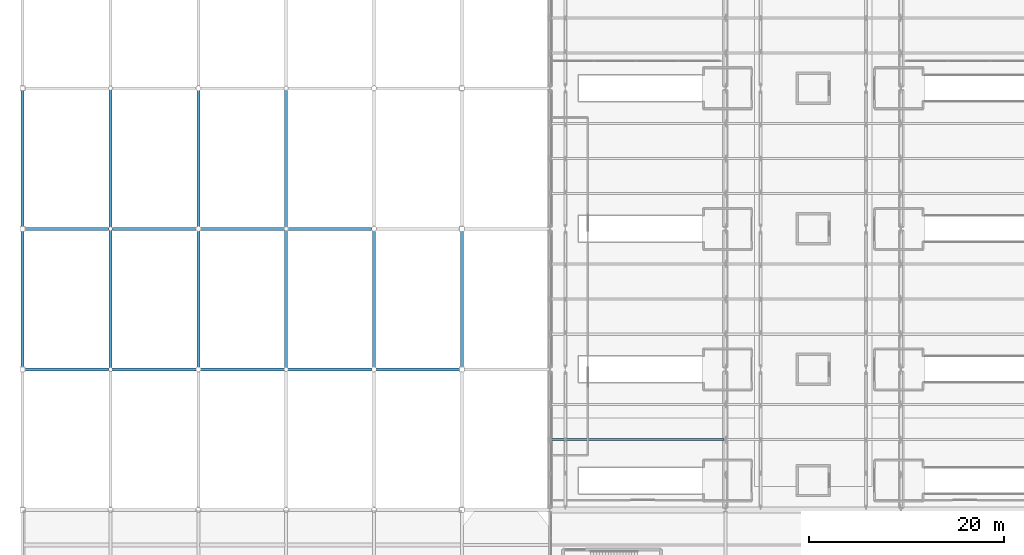
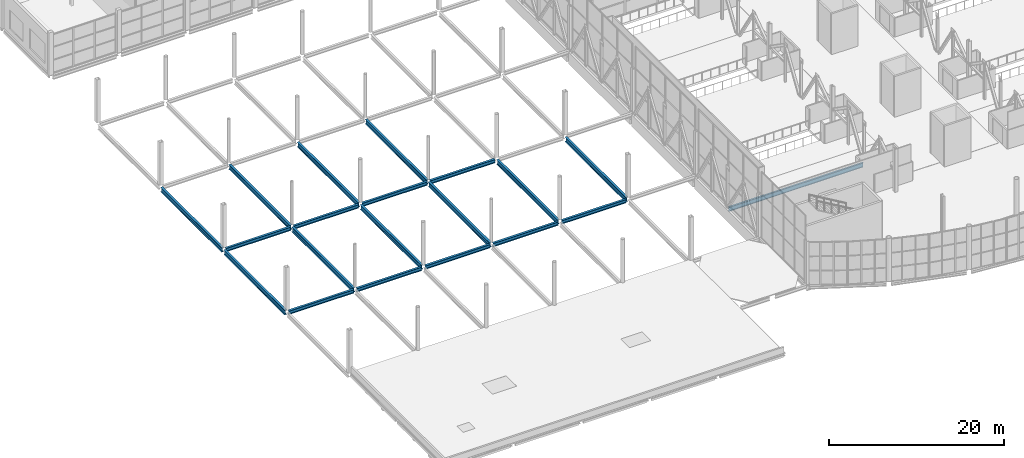
# One storey, part 32 of 191: 20 beams.
"""IFC4 building model written with IfcOpenShell, lengths in metres."""

from ifc_helpers import new_model, si_unit, direction, frame, origin, origin_2d, place, context, subcontext, project, spatial, i_section, extrude, material, material_profile, profile_set, type_object, element, save


model = new_model("IFC4")

# Units and contexts
model_context = context("Model", 3, precision=1e-05, world=origin(), true_north=direction((0.0, 1.0)))
body_context = subcontext(model_context, "Body", "Model", "MODEL_VIEW")
ifc_project = project(units=[si_unit("LENGTHUNIT", "METRE"), si_unit("AREAUNIT", "SQUARE_METRE"), si_unit("VOLUMEUNIT", "CUBIC_METRE"), si_unit("PLANEANGLEUNIT", "RADIAN"), si_unit("MASSUNIT", "GRAM", prefix="KILO")], contexts=[model_context])

# Site, building, storey
site_placement = place(None, origin())
site = spatial("IfcSite", under=ifc_project, at=site_placement, CompositionType="ELEMENT")
building_placement = place(site_placement, origin())
building = spatial("IfcBuilding", under=site, at=building_placement, Name="Tamarisk Ironworks Central Station", CompositionType="ELEMENT")
storey_placement = place(building_placement, frame((0.0, 0.0, 6.60009765625)))
storey = spatial("IfcBuildingStorey", under=building, at=storey_placement, Name="L01", CompositionType="ELEMENT", Elevation=6.60009765625)

# Beams
ifc_material = material(Name="Structural steel S355J2", Category="steel")
ifc_material_profile_1 = material_profile(ifc_material, i_section(OverallWidth=0.219970703125, OverallDepth=0.60009765625, WebThickness=0.011962890625, FlangeThickness=0.01904296875, at=origin_2d()), Name="IPE 600")
ifc_profile_set_1 = profile_set([ifc_material_profile_1], Name="Structural steel S355J2")
beam_type_1 = type_object("IfcBeamType", Name="BM-B01", PredefinedType="BEAM", material=ifc_profile_set_1)
beam_1_placement = place(storey_placement, frame((54.135009765625, 28.800048828125, -0.60009765625), z_axis=(1.0, 0.0, 0.0), x_axis=(0.0, 1.0, 0.0)))
element("IfcBeam", 1, at=beam_1_placement, inside=storey, type_object=beam_type_1, Name="L01 secondary composite beam 0002", PredefinedType="BEAM", context=body_context, shape_type="SweptSolid", body=[
    extrude(i_section(OverallWidth=0.219970703125, OverallDepth=0.60009765625, WebThickness=0.011962890625, FlangeThickness=0.01904296875, at=origin_2d()), origin(), (0.0, 0.0, 1.0), 17.72998046875),
])
ifc_material_profile_2 = material_profile(ifc_material, i_section(OverallWidth=0.300048828125, OverallDepth=0.639892578125, WebThickness=0.013427734375, FlangeThickness=0.02587890625, at=origin_2d()), Name="HEA 650")
ifc_profile_set_2 = profile_set([ifc_material_profile_2], Name="Structural steel S355J2")
beam_type_2 = type_object("IfcBeamType", Name="BM-G02", PredefinedType="BEAM", material=ifc_profile_set_2)
for number, where, z_axis, x_axis, name in (
    (2, (0.0, 36.238037109375, -0.570068359375), (0.0, 1.0, 0.0), (-1.0, 0.0, 0.0), "L01 primary girder Y-0156"),
    (3, (0.0, 50.637939453125, -0.570068359375), (0.0, 1.0, 0.0), (-1.0, 0.0, 0.0), "L01 primary girder Y-0157"),
):
    element("IfcBeam", number, at=place(storey_placement, frame(where, z_axis=z_axis, x_axis=x_axis)), inside=storey, type_object=beam_type_2, Name=name, PredefinedType="BEAM", context=body_context, shape_type="SweptSolid", body=[
        extrude(i_section(OverallWidth=0.300048828125, OverallDepth=0.639892578125, WebThickness=0.013427734375, FlangeThickness=0.02587890625, at=origin_2d()), origin(), (0.0, 0.0, 1.0), 13.924072265625),
    ])
for number, where, z_axis, x_axis, name in (
    (4, (9.0, 36.191162109375, -0.570068359375), (0.0, 1.0, 0.0), (-1.0, 0.0, 0.0), "L01 primary girder Y-0165"),
    (5, (9.0, 50.59130859375, -0.570068359375), (0.0, 1.0, 0.0), (-1.0, 0.0, 0.0), "L01 primary girder Y-0166"),
):
    element("IfcBeam", number, at=place(storey_placement, frame(where, z_axis=z_axis, x_axis=x_axis)), inside=storey, type_object=beam_type_2, Name=name, PredefinedType="BEAM", context=body_context, shape_type="SweptSolid", body=[
        extrude(i_section(OverallWidth=0.300048828125, OverallDepth=0.639892578125, WebThickness=0.013427734375, FlangeThickness=0.02587890625, at=origin_2d()), origin(), (0.0, 0.0, 1.0), 14.017578125),
    ])
for number, where, z_axis, x_axis, name in (
    (6, (18.0, 36.241943359375, -0.570068359375), (0.0, 1.0, 0.0), (-1.0, 0.0, 0.0), "L01 primary girder Y-0173"),
    (7, (18.0, 50.64208984375, -0.570068359375), (0.0, 1.0, 0.0), (-1.0, 0.0, 0.0), "L01 primary girder Y-0174"),
):
    element("IfcBeam", number, at=place(storey_placement, frame(where, z_axis=z_axis, x_axis=x_axis)), inside=storey, type_object=beam_type_2, Name=name, PredefinedType="BEAM", context=body_context, shape_type="SweptSolid", body=[
        extrude(i_section(OverallWidth=0.300048828125, OverallDepth=0.639892578125, WebThickness=0.013427734375, FlangeThickness=0.02587890625, at=origin_2d()), origin(), (0.0, 0.0, 1.0), 13.916015625),
    ])
for number, where, z_axis, x_axis, name in (
    (8, (27.0, 36.191162109375, -0.570068359375), (0.0, 1.0, 0.0), (-1.0, 0.0, 0.0), "L01 primary girder Y-0182"),
    (9, (27.0, 50.59130859375, -0.570068359375), (0.0, 1.0, 0.0), (-1.0, 0.0, 0.0), "L01 primary girder Y-0183"),
):
    element("IfcBeam", number, at=place(storey_placement, frame(where, z_axis=z_axis, x_axis=x_axis)), inside=storey, type_object=beam_type_2, Name=name, PredefinedType="BEAM", context=body_context, shape_type="SweptSolid", body=[
        extrude(i_section(OverallWidth=0.300048828125, OverallDepth=0.639892578125, WebThickness=0.013427734375, FlangeThickness=0.02587890625, at=origin_2d()), origin(), (0.0, 0.0, 1.0), 14.017578125),
    ])
beam_2_placement = place(storey_placement, frame((36.0, 36.241943359375, -0.570068359375), z_axis=(0.0, 1.0, 0.0), x_axis=(-1.0, 0.0, 0.0)))
element("IfcBeam", 10, at=beam_2_placement, inside=storey, type_object=beam_type_2, Name="L01 primary girder Y-0190", PredefinedType="BEAM", context=body_context, shape_type="SweptSolid", body=[
    extrude(i_section(OverallWidth=0.300048828125, OverallDepth=0.639892578125, WebThickness=0.013427734375, FlangeThickness=0.02587890625, at=origin_2d()), origin(), (0.0, 0.0, 1.0), 13.916015625),
])
beam_3_placement = place(storey_placement, frame((45.0, 36.238037109375, -0.570068359375), z_axis=(0.0, 1.0, 0.0), x_axis=(-1.0, 0.0, 0.0)))
element("IfcBeam", 11, at=beam_3_placement, inside=storey, type_object=beam_type_2, Name="L01 primary girder Y-0199", PredefinedType="BEAM", context=body_context, shape_type="SweptSolid", body=[
    extrude(i_section(OverallWidth=0.300048828125, OverallDepth=0.639892578125, WebThickness=0.013427734375, FlangeThickness=0.02587890625, at=origin_2d()), origin(), (0.0, 0.0, 1.0), 13.924072265625),
])
ifc_material_profile_3 = material_profile(ifc_material, i_section(OverallWidth=0.300048828125, OverallDepth=0.489990234375, WebThickness=0.011962890625, FlangeThickness=0.02294921875, at=origin_2d()), Name="HEA 500")
ifc_profile_set_3 = profile_set([ifc_material_profile_3], Name="Structural steel S355J2")
beam_type_3 = type_object("IfcBeamType", Name="BM-G05", PredefinedType="BEAM", material=ifc_profile_set_3)
beam_4_placement = place(storey_placement, frame((0.238037109375, 36.0, -0.4951171875), z_axis=(1.0, 0.0, 0.0), x_axis=(0.0, 1.0, 0.0)))
element("IfcBeam", 12, at=beam_4_placement, inside=storey, type_object=beam_type_3, Name="L01 primary girder X-0042", PredefinedType="BEAM", context=body_context, shape_type="SweptSolid", body=[
    extrude(i_section(OverallWidth=0.300048828125, OverallDepth=0.489990234375, WebThickness=0.011962890625, FlangeThickness=0.02294921875, at=origin_2d()), origin(), (0.0, 0.0, 1.0), 8.57080078125),
])
for number, where, z_axis, x_axis, name in (
    (13, (9.191162109375, 36.0, -0.4951171875), (1.0, 0.0, 0.0), (0.0, 1.0, 0.0), "L01 primary girder X-0043"),
    (14, (18.241943359375, 36.0, -0.4951171875), (1.0, 0.0, 0.0), (0.0, 1.0, 0.0), "L01 primary girder X-0044"),
    (15, (27.191162109375, 36.0, -0.4951171875), (1.0, 0.0, 0.0), (0.0, 1.0, 0.0), "L01 primary girder X-0045"),
):
    element("IfcBeam", number, at=place(storey_placement, frame(where, z_axis=z_axis, x_axis=x_axis)), inside=storey, type_object=beam_type_3, Name=name, PredefinedType="BEAM", context=body_context, shape_type="SweptSolid", body=[
        extrude(i_section(OverallWidth=0.300048828125, OverallDepth=0.489990234375, WebThickness=0.011962890625, FlangeThickness=0.02294921875, at=origin_2d()), origin(), (0.0, 0.0, 1.0), 8.56689453125),
    ])
beam_5_placement = place(storey_placement, frame((36.241943359375, 36.0, -0.4951171875), z_axis=(1.0, 0.0, 0.0), x_axis=(0.0, 1.0, 0.0)))
element("IfcBeam", 16, at=beam_5_placement, inside=storey, type_object=beam_type_3, Name="L01 primary girder X-0046", PredefinedType="BEAM", context=body_context, shape_type="SweptSolid", body=[
    extrude(i_section(OverallWidth=0.300048828125, OverallDepth=0.489990234375, WebThickness=0.011962890625, FlangeThickness=0.02294921875, at=origin_2d()), origin(), (0.0, 0.0, 1.0), 8.52001953125),
])
beam_6_placement = place(storey_placement, frame((0.238037109375, 50.39990234375, -0.4951171875), z_axis=(1.0, 0.0, 0.0), x_axis=(0.0, 1.0, 0.0)))
element("IfcBeam", 17, at=beam_6_placement, inside=storey, type_object=beam_type_3, Name="L01 primary girder X-0054", PredefinedType="BEAM", context=body_context, shape_type="SweptSolid", body=[
    extrude(i_section(OverallWidth=0.300048828125, OverallDepth=0.489990234375, WebThickness=0.011962890625, FlangeThickness=0.02294921875, at=origin_2d()), origin(), (0.0, 0.0, 1.0), 8.57080078125),
])
for number, where, z_axis, x_axis, name in (
    (18, (9.191162109375, 50.39990234375, -0.4951171875), (1.0, 0.0, 0.0), (0.0, 1.0, 0.0), "L01 primary girder X-0055"),
    (19, (18.241943359375, 50.39990234375, -0.4951171875), (1.0, 0.0, 0.0), (0.0, 1.0, 0.0), "L01 primary girder X-0056"),
    (20, (27.191162109375, 50.39990234375, -0.4951171875), (1.0, 0.0, 0.0), (0.0, 1.0, 0.0), "L01 primary girder X-0057"),
):
    element("IfcBeam", number, at=place(storey_placement, frame(where, z_axis=z_axis, x_axis=x_axis)), inside=storey, type_object=beam_type_3, Name=name, PredefinedType="BEAM", context=body_context, shape_type="SweptSolid", body=[
        extrude(i_section(OverallWidth=0.300048828125, OverallDepth=0.489990234375, WebThickness=0.011962890625, FlangeThickness=0.02294921875, at=origin_2d()), origin(), (0.0, 0.0, 1.0), 8.56689453125),
    ])

save(model, "model.ifc")
